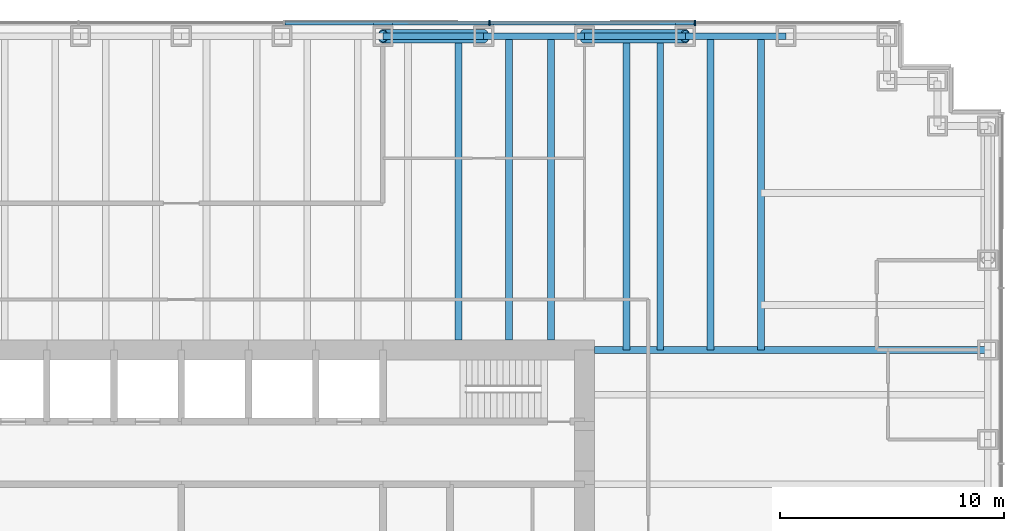
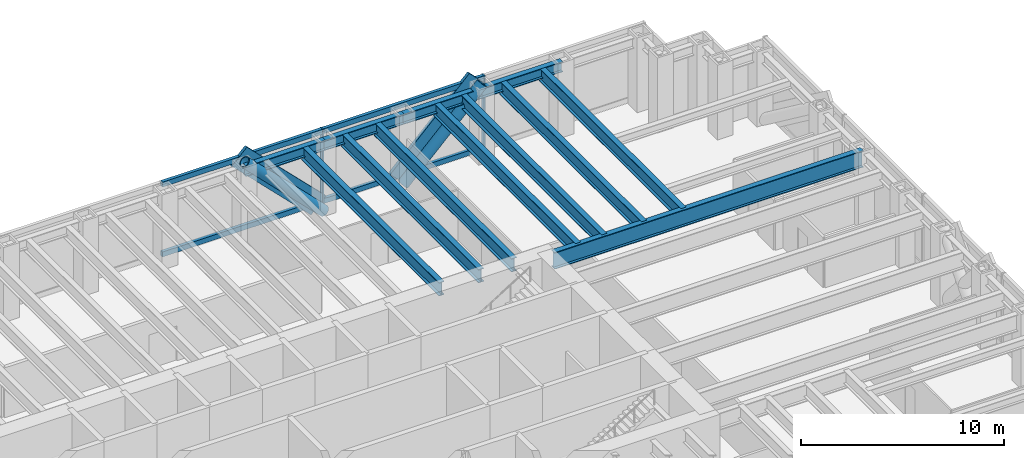
# One storey, part 6 of 13: 12 beams, 10 members, 1 element without a shape of its own.
"""IFC4 building model written with IfcOpenShell, lengths in metres."""

import ifcopenshell
import ifcopenshell.guid

model = None  # the IFC model being written
_history = None  # IfcOwnerHistory: only IFC2X3 demands one
_inside = {}  # id of a spatial element -> (the spatial element, [elements in it])
_under = {}  # id of a project, library or spatial element -> (it, [spatial elements below it])
_declared = {}  # id of a project -> (the project, [libraries it declares])
_typed = {}  # id of a type object -> (the type object, [elements of that type])
_made_of = {}  # id of a material, layer set ... -> (it, [elements and type objects made of it])


def new_model(schema):
    """Start an empty IFC model of exactly this schema.

    Asked for "IFC4X3", IfcOpenShell would pick the latest addendum, in which some entities
    have other attributes; the version numbers below select the first issue.
    IFC2X3 requires an IfcOwnerHistory on every rooted entity: one is made here for all.
    """
    global model, _history
    if schema == "IFC4X3":
        model = ifcopenshell.file(schema_version=(4, 3, 0, 0))
    else:
        model = ifcopenshell.file(schema=schema)
    _inside.clear()
    _under.clear()
    _declared.clear()
    _typed.clear()
    _made_of.clear()
    _history = None
    if model.schema == "IFC2X3":
        org = make("IfcOrganization", Name="unknown")
        user = make(
            "IfcPersonAndOrganization",
            ThePerson=make("IfcPerson", FamilyName="unknown"),
            TheOrganization=org,
        )
        app = make(
            "IfcApplication",
            ApplicationDeveloper=org,
            Version="unknown",
            ApplicationFullName="unknown",
            ApplicationIdentifier="unknown",
        )
        _history = make(
            "IfcOwnerHistory",
            OwningUser=user,
            OwningApplication=app,
            ChangeAction="ADDED",
            CreationDate=0,
        )
    return model


def make(cls, **values):
    """One entity of the class cls with the attributes given. An attribute that is None is left unset."""
    return model.create_entity(
        cls, **{name: value for name, value in values.items() if value is not None}
    )


def rooted(cls, **values):
    """An entity with a GlobalId (a new one), such as an element, a storey or a relation."""
    return make(cls, GlobalId=ifcopenshell.guid.new(), OwnerHistory=_history, **values)


def si_unit(unit_type, name, prefix=None):
    """IfcSIUnit, for example si_unit("LENGTHUNIT", "METRE", prefix="MILLI")."""
    return make("IfcSIUnit", UnitType=unit_type, Prefix=prefix, Name=name)


def assignment(units):
    """IfcUnitAssignment: the units of a project."""
    return None if units is None else make("IfcUnitAssignment", Units=units)


def point(xyz):
    """IfcCartesianPoint."""
    return None if xyz is None else make("IfcCartesianPoint", Coordinates=xyz)


def direction(xyz):
    """IfcDirection."""
    return None if xyz is None else make("IfcDirection", DirectionRatios=xyz)


def frame(location, z_axis=None, x_axis=None):
    """IfcAxis2Placement3D, a coordinate frame: its origin and axes. An axis left out is left unset."""
    return make(
        "IfcAxis2Placement3D",
        Location=point(location),
        Axis=direction(z_axis),
        RefDirection=direction(x_axis),
    )


def frame_2d(location, x_axis=None):
    """IfcAxis2Placement2D, a coordinate frame in the plane: its origin and x axis."""
    return make(
        "IfcAxis2Placement2D", Location=point(location), RefDirection=direction(x_axis)
    )


def origin():
    """The frame at (0, 0, 0) with its axes left unset."""
    return frame((0.0, 0.0, 0.0))


def origin_2d():
    """The frame at (0, 0) in the plane with its x axis left unset."""
    return frame_2d((0.0, 0.0))


def place(relative_to, where):
    """IfcLocalPlacement: puts the frame where relative to a parent placement (None: the world)."""
    return make(
        "IfcLocalPlacement", PlacementRelTo=relative_to, RelativePlacement=where
    )


def context(
    kind, dimensions, precision=None, world=None, true_north=None, identifier=None
):
    """IfcGeometricRepresentationContext, for example the 3D "Model" context."""
    return make(
        "IfcGeometricRepresentationContext",
        ContextIdentifier=identifier,
        ContextType=kind,
        CoordinateSpaceDimension=dimensions,
        Precision=precision,
        WorldCoordinateSystem=world,
        TrueNorth=true_north,
    )


def subcontext(parent, identifier, kind, view, scale=None):
    """IfcGeometricRepresentationSubContext, for example "Body" below "Model"."""
    return make(
        "IfcGeometricRepresentationSubContext",
        ContextIdentifier=identifier,
        ContextType=kind,
        ParentContext=parent,
        TargetScale=scale,
        TargetView=view,
    )


def project(units=None, contexts=None):
    """IfcProject with its units and contexts."""
    return rooted(
        "IfcProject",
        Name="project",
        RepresentationContexts=contexts,
        UnitsInContext=assignment(units),
    )


def spatial(cls, under=None, at=None, **own):
    """A site, building, storey or space (cls), placed at a placement, below another one or the project."""
    s = rooted(cls, ObjectPlacement=at, **own)
    if under is not None:
        _under.setdefault(under.id(), (under, []))[1].append(s)
    return s


def profile(cls, at=None, kind="AREA", **sizes):
    """A parametric profile (cls). Its sizes go by their IFC names, for example OverallWidth=200.0."""
    return make(cls, ProfileType=kind, Position=at, **sizes)


def rectangle(**sizes):
    """IfcRectangleProfileDef."""
    return profile("IfcRectangleProfileDef", **sizes)


def hollow_circle(**sizes):
    """IfcCircleHollowProfileDef."""
    return profile("IfcCircleHollowProfileDef", **sizes)


def i_section(**sizes):
    """IfcIShapeProfileDef."""
    return profile("IfcIShapeProfileDef", **sizes)


def extrude(swept, where, along, depth):
    """IfcExtrudedAreaSolid: the profile swept, set in the frame where, extruded along a direction by depth."""
    return make(
        "IfcExtrudedAreaSolid",
        SweptArea=swept,
        Position=where,
        ExtrudedDirection=direction(along),
        Depth=depth,
    )


def shape(context_of_items, identifier, shape_type, items):
    """IfcShapeRepresentation: the items that make up one representation, for example the "Body"."""
    return make(
        "IfcShapeRepresentation",
        ContextOfItems=context_of_items,
        RepresentationIdentifier=identifier,
        RepresentationType=shape_type,
        Items=items,
    )


def material(Name=None, Category=None):
    """IfcMaterial."""
    return make("IfcMaterial", Name=Name, Category=Category)


def material_profile(
    of_material, cross_section, Name=None, Category=None, Priority=None
):
    """IfcMaterialProfile: a cross section and its material."""
    return make(
        "IfcMaterialProfile",
        Name=Name,
        Material=of_material,
        Profile=cross_section,
        Priority=Priority,
        Category=Category,
    )


def profile_set(profiles, Name=None, composite=None):
    """IfcMaterialProfileSet."""
    return make(
        "IfcMaterialProfileSet",
        Name=Name,
        MaterialProfiles=profiles,
        CompositeProfile=composite,
    )


def made_of(thing, what):
    """Note that an element or type object is made of a material, layer set ...; save() writes the relation."""
    if what is not None:
        _made_of.setdefault(what.id(), (what, []))[1].append(thing)
    return thing


def type_object(cls, material=None, **own):
    """A type object (cls), such as IfcWallType, which elements share."""
    return made_of(rooted(cls, **own), material)


def element(
    cls,
    number,
    at=None,
    inside=None,
    cuts=None,
    type_object=None,
    material=None,
    context=None,
    identifier="Body",
    shape_type=None,
    held_by="IfcProductDefinitionShape",
    body=None,
    shapes=None,
    **own,
):
    """One element of the class cls, such as IfcWall. Its Tag is "e" and its number.

    at: its placement. inside: the storey or other place that contains it. cuts: it is an
    opening in that element (IfcRelVoidsElement). A single representation is given by context,
    identifier, shape_type and body (its items); several are given by shapes. held_by: the class
    of the entity that holds the representations. save() writes the other relations.
    """
    e = rooted(cls, Tag="e%d" % number, ObjectPlacement=at, **own)
    if body is not None:
        shapes = [shape(context, identifier, shape_type, body)]
    if shapes is not None:
        e.Representation = make(held_by, Representations=shapes)
    if inside is not None:
        _inside.setdefault(inside.id(), (inside, []))[1].append(e)
    if cuts is not None:
        rooted(
            "IfcRelVoidsElement", RelatingBuildingElement=cuts, RelatedOpeningElement=e
        )
    if type_object is not None:
        _typed.setdefault(type_object.id(), (type_object, []))[1].append(e)
    return made_of(e, material)


def aggregate(whole, parts):
    """IfcRelAggregates: a whole, such as a stair, and the parts it consists of."""
    return rooted("IfcRelAggregates", RelatingObject=whole, RelatedObjects=parts)


def save(model, path):
    """Write the relations noted so far, then the file.

    IfcRelAggregates (storeys below a building ...), IfcRelContainedInSpatialStructure (elements
    in a storey), IfcRelDefinesByType, IfcRelAssociatesMaterial and IfcRelDeclares: one each for
    every whole, place, type object, material and project.
    """
    for whole, parts in _under.values():
        aggregate(whole, parts)
    for where, things in _inside.values():
        rooted(
            "IfcRelContainedInSpatialStructure",
            RelatedElements=things,
            RelatingStructure=where,
        )
    for kind, things in _typed.values():
        rooted("IfcRelDefinesByType", RelatedObjects=things, RelatingType=kind)
    for what, things in _made_of.values():
        rooted("IfcRelAssociatesMaterial", RelatedObjects=things, RelatingMaterial=what)
    for by, libraries in _declared.values():
        rooted("IfcRelDeclares", RelatingContext=by, RelatedDefinitions=libraries)
    model.write(path)


model = new_model("IFC4")

# Units and contexts
model_context = context("Model", 3, precision=1e-05, world=origin(), true_north=direction((0.0, 1.0)))
body_context = subcontext(model_context, "Body", "Model", "MODEL_VIEW")
ifc_project = project(units=[si_unit("LENGTHUNIT", "METRE"), si_unit("AREAUNIT", "SQUARE_METRE"), si_unit("VOLUMEUNIT", "CUBIC_METRE"), si_unit("PLANEANGLEUNIT", "RADIAN"), si_unit("MASSUNIT", "GRAM", prefix="KILO")], contexts=[model_context])

# Site, building, storey
site_placement = place(None, origin())
site = spatial("IfcSite", under=ifc_project, at=site_placement, CompositionType="ELEMENT")
building_placement = place(site_placement, origin())
building = spatial("IfcBuilding", under=site, at=building_placement, Name="Rheinbord Bourse Tower", CompositionType="ELEMENT")
storey_placement = place(building_placement, frame((0.0, 0.0, 81.5)))
storey = spatial("IfcBuildingStorey", under=building, at=storey_placement, Name="L17", CompositionType="ELEMENT", Elevation=81.5)

# Curtain wall, members
ifc_material_1 = material(Name="Dark glass and black aluminium", Category="aluminium")
curtain_wall_type = type_object("IfcCurtainWallType", Name="CW1 DARK GLASS CURTAIN WALL", PredefinedType="USERDEFINED", material=ifc_material_1)
curtain_wall_placement = place(storey_placement, origin())
curtain_wall = element("IfcCurtainWall", 1, at=curtain_wall_placement, inside=storey, type_object=curtain_wall_type, Name="Curtain wall CW1 N L17", ObjectType="UNITISED CURTAIN WALL", PredefinedType="USERDEFINED")
ifc_material_2 = material(Name="Black anodised aluminium", Category="aluminium")
ifc_material_profile_1 = material_profile(ifc_material_2, rectangle(XDim=0.179931640625, YDim=1.2099609375, at=origin_2d()), Name="CW1 DIAGONAL MULLION 1210x180")
ifc_profile_set_1 = profile_set([ifc_material_profile_1], Name="Black anodised aluminium")
member_type_1 = type_object("IfcMemberType", Name="CW1 BLACK DIAGONAL MULLION", PredefinedType="USERDEFINED", material=ifc_profile_set_1)
member_1_placement = place(storey_placement, frame((49.5, 46.60009765625, 0.0), z_axis=(-0.707106781187, 0.0, 0.707106781187), x_axis=(0.0, -1.0, 0.0)))
member_1 = element("IfcMember", 2, at=member_1_placement, type_object=member_type_1, Name="CW1 diagonal mullion a", ObjectType="DIAGONAL MULLION", PredefinedType="USERDEFINED", context=body_context, shape_type="SweptSolid", body=[
    extrude(rectangle(XDim=0.179931640625, YDim=1.2099609375, at=origin_2d()), origin(), (0.0, 0.0, 1.0), 6.364013671875),
])
member_2_placement = place(storey_placement, frame((54.0, 46.60009765625, 0.0), z_axis=(0.707106781187, 0.0, 0.707106781187), x_axis=(0.0, 1.0, 0.0)))
member_2 = element("IfcMember", 3, at=member_2_placement, type_object=member_type_1, Name="CW1 diagonal mullion d", ObjectType="DIAGONAL MULLION", PredefinedType="USERDEFINED", context=body_context, shape_type="SweptSolid", body=[
    extrude(rectangle(XDim=0.179931640625, YDim=1.2099609375, at=origin_2d()), origin(), (0.0, 0.0, 1.0), 6.364013671875),
])
ifc_material_3 = material(Name="Black anodised aluminium", Category="aluminium")
ifc_material_profile_2 = material_profile(ifc_material_3, rectangle(XDim=0.25, YDim=0.080078125, at=origin_2d()), Name="CW1 MULLION 80x250")
ifc_profile_set_2 = profile_set([ifc_material_profile_2], Name="Black anodised aluminium")
member_type_2 = type_object("IfcMemberType", Name="CW1 BLACK MULLION", PredefinedType="MULLION", material=ifc_profile_set_2)
member_3_placement = place(storey_placement, frame((58.928466796875, 46.60009765625, 0.0), z_axis=(0.0, 0.0, 1.0), x_axis=(0.0, -1.0, 0.0)))
member_3 = element("IfcMember", 4, at=member_3_placement, type_object=member_type_2, Name="CW1 mullion 2", PredefinedType="MULLION", context=body_context, shape_type="SweptSolid", body=[
    extrude(rectangle(XDim=0.25, YDim=0.080078125, at=origin_2d()), origin(), (0.0, 0.0, 1.0), 4.5),
])
member_4_placement = place(storey_placement, frame((49.757080078125, 46.60009765625, 0.0), z_axis=(0.0, 0.0, 1.0), x_axis=(0.0, -1.0, 0.0)))
member_4 = element("IfcMember", 5, at=member_4_placement, type_object=member_type_2, Name="CW1 mullion 3", PredefinedType="MULLION", context=body_context, shape_type="SweptSolid", body=[
    extrude(rectangle(XDim=0.25, YDim=0.080078125, at=origin_2d()), origin(), (0.0, 0.0, 1.0), 4.5),
])
ifc_material_4 = material(Name="Black anodised aluminium", Category="aluminium")
ifc_material_profile_3 = material_profile(ifc_material_4, rectangle(XDim=0.179931640625, YDim=0.300048828125, at=origin_2d()), Name="CW1 TRANSOM 300x180")
ifc_profile_set_3 = profile_set([ifc_material_profile_3], Name="Black anodised aluminium")
member_type_3 = type_object("IfcMemberType", Name="CW1 BLACK TRANSOM", PredefinedType="USERDEFINED", material=ifc_profile_set_3)
member_5_placement = place(storey_placement, frame((58.888671875, 46.60009765625, 0.14990234375), z_axis=(-1.0, 0.0, 0.0), x_axis=(0.0, -1.0, 0.0)))
member_5 = element("IfcMember", 6, at=member_5_placement, type_object=member_type_3, Name="CW1 transom 2.1", ObjectType="TRANSOM", PredefinedType="USERDEFINED", context=body_context, shape_type="SweptSolid", body=[
    extrude(rectangle(XDim=0.179931640625, YDim=0.300048828125, at=origin_2d()), origin(), (0.0, 0.0, 1.0), 9.091552734375),
])
member_6_placement = place(storey_placement, frame((58.888671875, 46.60009765625, 4.35009765625), z_axis=(-1.0, 0.0, 0.0), x_axis=(0.0, -1.0, 0.0)))
member_6 = element("IfcMember", 7, at=member_6_placement, type_object=member_type_3, Name="CW1 transom 2.2", ObjectType="TRANSOM", PredefinedType="USERDEFINED", context=body_context, shape_type="SweptSolid", body=[
    extrude(rectangle(XDim=0.179931640625, YDim=0.300048828125, at=origin_2d()), origin(), (0.0, 0.0, 1.0), 9.091552734375),
])
member_7_placement = place(storey_placement, frame((49.717041015625, 46.60009765625, 0.14990234375), z_axis=(-1.0, 0.0, 0.0), x_axis=(0.0, -1.0, 0.0)))
member_7 = element("IfcMember", 8, at=member_7_placement, type_object=member_type_3, Name="CW1 transom 3.1", ObjectType="TRANSOM", PredefinedType="USERDEFINED", context=body_context, shape_type="SweptSolid", body=[
    extrude(rectangle(XDim=0.179931640625, YDim=0.300048828125, at=origin_2d()), origin(), (0.0, 0.0, 1.0), 9.09130859375),
])
member_8_placement = place(storey_placement, frame((49.717041015625, 46.60009765625, 4.35009765625), z_axis=(-1.0, 0.0, 0.0), x_axis=(0.0, -1.0, 0.0)))
member_8 = element("IfcMember", 9, at=member_8_placement, type_object=member_type_3, Name="CW1 transom 3.2", ObjectType="TRANSOM", PredefinedType="USERDEFINED", context=body_context, shape_type="SweptSolid", body=[
    extrude(rectangle(XDim=0.179931640625, YDim=0.300048828125, at=origin_2d()), origin(), (0.0, 0.0, 1.0), 9.09130859375),
])
aggregate(curtain_wall, [member_3, member_4, member_5, member_6, member_7, member_8, member_1, member_2])

# Beams
ifc_material_5 = material(Name="Steel S460", Category="steel")
ifc_material_profile_4 = material_profile(ifc_material_5, i_section(OverallWidth=0.300048828125, OverallDepth=0.800048828125, WebThickness=0.017578125, FlangeThickness=0.032958984375, at=origin_2d()), Name="HEB 800")
ifc_profile_set_4 = profile_set([ifc_material_profile_4], Name="Steel S460")
beam_type_1 = type_object("IfcBeamType", Name="FLOOR BEAM HEB 800", PredefinedType="BEAM", material=ifc_profile_set_4)
for number, where, z_axis, x_axis, name in (
    (10, (48.375, 46.0, 3.919921875), (0.0, -1.0, 0.0), (1.0, 0.0, 0.0), "Floor beam N-45b L18"),
    (11, (50.625, 46.0, 3.919921875), (0.0, -1.0, 0.0), (1.0, 0.0, 0.0), "Floor beam N-49.5a L18"),
    (12, (52.5, 46.0, 3.919921875), (0.0, -1.0, 0.0), (1.0, 0.0, 0.0), "Floor beam N-49.5b L18"),
):
    element("IfcBeam", number, at=place(storey_placement, frame(where, z_axis=z_axis, x_axis=x_axis)), inside=storey, type_object=beam_type_1, Name=name, PredefinedType="BEAM", context=body_context, shape_type="SweptSolid", body=[
        extrude(i_section(OverallWidth=0.300048828125, OverallDepth=0.800048828125, WebThickness=0.017578125, FlangeThickness=0.032958984375, at=origin_2d()), origin(), (0.0, 0.0, 1.0), 13.550048828125),
    ])
for number, where, z_axis, x_axis, name in (
    (13, (55.875, 46.0, 3.919921875), (0.0, -1.0, 0.0), (1.0, 0.0, 0.0), "Floor beam N-54a L18"),
    (14, (57.375, 46.0, 3.919921875), (0.0, -1.0, 0.0), (1.0, 0.0, 0.0), "Floor beam N-54b L18"),
    (15, (59.625, 46.0, 3.919921875), (0.0, -1.0, 0.0), (1.0, 0.0, 0.0), "Floor beam N-58.5a L18"),
    (16, (61.875, 46.0, 3.919921875), (0.0, -1.0, 0.0), (1.0, 0.0, 0.0), "Floor beam N-58.5b L18"),
):
    element("IfcBeam", number, at=place(storey_placement, frame(where, z_axis=z_axis, x_axis=x_axis)), inside=storey, type_object=beam_type_1, Name=name, PredefinedType="BEAM", context=body_context, shape_type="SweptSolid", body=[
        extrude(i_section(OverallWidth=0.300048828125, OverallDepth=0.800048828125, WebThickness=0.017578125, FlangeThickness=0.032958984375, at=origin_2d()), origin(), (0.0, 0.0, 1.0), 14.0),
    ])
ifc_material_6 = material(Name="Steel S460", Category="steel")
ifc_material_profile_5 = material_profile(ifc_material_6, i_section(OverallWidth=0.302001953125, OverallDepth=1.008056640625, WebThickness=0.02099609375, FlangeThickness=0.0400390625, at=origin_2d()), Name="HEM 1000")
ifc_profile_set_5 = profile_set([ifc_material_profile_5], Name="Steel S460")
beam_type_2 = type_object("IfcBeamType", Name="GIRDER HEM 1000", PredefinedType="BEAM", material=ifc_profile_set_5)
beam_placement = place(storey_placement, frame((54.449951171875, 32.0, 3.81591796875), z_axis=(1.0, 0.0, 0.0), x_axis=(0.0, 1.0, 0.0)))
element("IfcBeam", 17, at=beam_placement, inside=storey, type_object=beam_type_2, Name="Girder east 32 L18", PredefinedType="BEAM", context=body_context, shape_type="SweptSolid", body=[
    extrude(i_section(OverallWidth=0.302001953125, OverallDepth=1.008056640625, WebThickness=0.02099609375, FlangeThickness=0.0400390625, at=origin_2d()), origin(), (0.0, 0.0, 1.0), 17.550048828125),
])

# Members
ifc_material_7 = material(Name="Steel S460", Category="steel")
ifc_material_profile_6 = material_profile(ifc_material_7, hollow_circle(Radius=0.304931640625, WallThickness=0.050048828125, at=origin_2d()), Name="CHS 610x50")
ifc_profile_set_6 = profile_set([ifc_material_profile_6], Name="Steel S460")
member_type_4 = type_object("IfcMemberType", Name="MEGABRACE CHS 610x50", PredefinedType="BRACE", material=ifc_profile_set_6)
for number, where, z_axis, x_axis, name in (
    (18, (49.5, 46.0, 0.0), (-0.707106781187, 0.0, 0.707106781187), (0.0, -1.0, 0.0), "Megabrace N face line a L17"),
    (19, (54.0, 46.0, 0.0), (0.707106781187, 0.0, 0.707106781187), (0.0, 1.0, 0.0), "Megabrace N face line d L17"),
):
    element("IfcMember", number, at=place(storey_placement, frame(where, z_axis=z_axis, x_axis=x_axis)), inside=storey, type_object=member_type_4, Name=name, PredefinedType="BRACE", context=body_context, shape_type="SweptSolid", body=[
        extrude(hollow_circle(Radius=0.304931640625, WallThickness=0.050048828125, at=origin_2d()), origin(), (0.0, 0.0, 1.0), 6.364013671875),
    ])

# Beams
ifc_material_8 = material(Name="Steel S460", Category="steel")
ifc_material_profile_7 = material_profile(ifc_material_8, i_section(OverallWidth=0.304931640625, OverallDepth=0.6201171875, WebThickness=0.02099609375, FlangeThickness=0.0400390625, at=origin_2d()), Name="HEM 600")
ifc_profile_set_7 = profile_set([ifc_material_profile_7], Name="Steel S460")
beam_type_3 = type_object("IfcBeamType", Name="SPANDREL HEM 600", PredefinedType="SPANDREL", material=ifc_profile_set_7)
for number, where, z_axis, x_axis, name in (
    (20, (63.0, 46.0, 4.010009765625), (-1.0, 0.0, 0.0), (0.0, -1.0, 0.0), "Spandrel N-63-N-58.5 under L18"),
    (21, (58.5, 46.0, 4.010009765625), (-1.0, 0.0, 0.0), (0.0, -1.0, 0.0), "Spandrel N-58.5-N-54 under L18"),
    (22, (54.0, 46.0, 4.010009765625), (-1.0, 0.0, 0.0), (0.0, -1.0, 0.0), "Spandrel N-54-N-49.5 under L18"),
    (23, (49.5, 46.0, 4.010009765625), (-1.0, 0.0, 0.0), (0.0, -1.0, 0.0), "Spandrel N-49.5-N-45 under L18"),
):
    element("IfcBeam", number, at=place(storey_placement, frame(where, z_axis=z_axis, x_axis=x_axis)), inside=storey, type_object=beam_type_3, Name=name, PredefinedType="SPANDREL", context=body_context, shape_type="SweptSolid", body=[
        extrude(i_section(OverallWidth=0.304931640625, OverallDepth=0.6201171875, WebThickness=0.02099609375, FlangeThickness=0.0400390625, at=origin_2d()), origin(), (0.0, 0.0, 1.0), 4.5),
    ])

save(model, "model.ifc")
